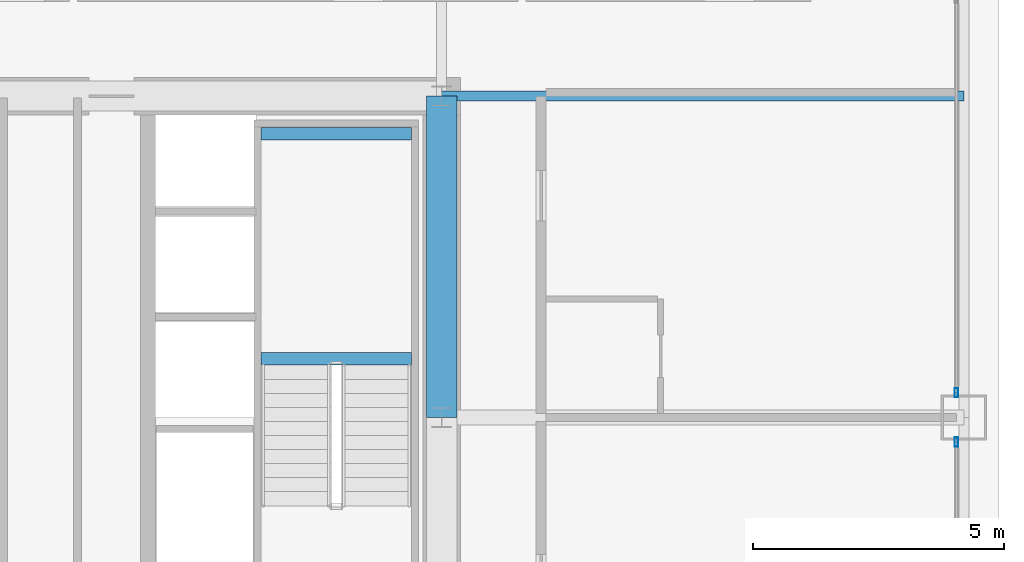
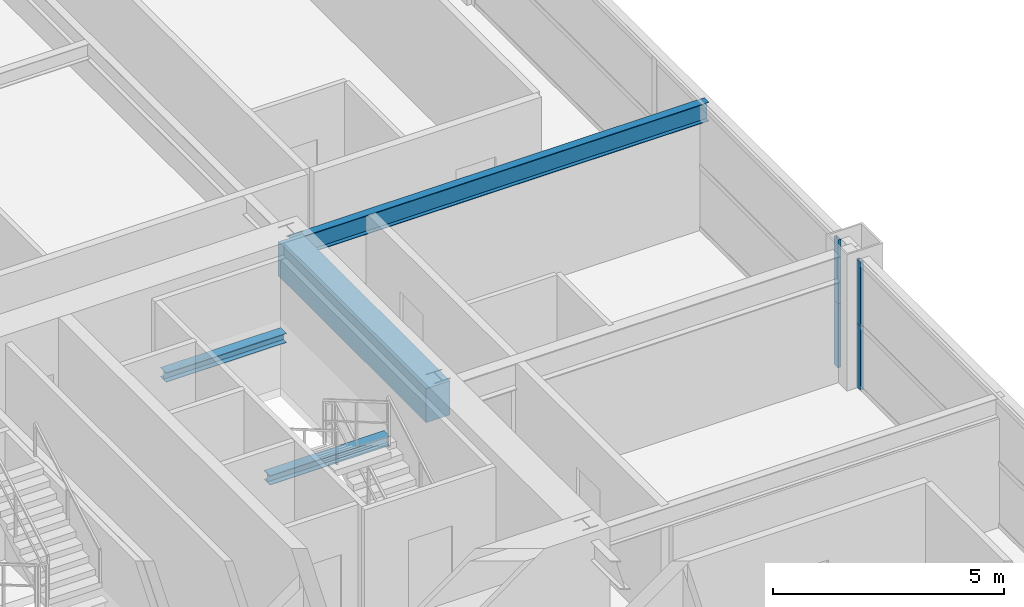
# One storey, part 20 of 39: 4 beams, 4 members, 2 elements without a shape of their own.
"""IFC4 building model written with IfcOpenShell, lengths in metres."""

from ifc_helpers import new_model, si_unit, direction, frame, origin, origin_2d, place, context, subcontext, project, spatial, rectangle, hollow_rectangle, i_section, extrude, source, transform, mapped, material, layer, layer_set, material_profile, profile_set, type_object, element, aggregate, save


model = new_model("IFC4")

# Units and contexts
model_context = context("Model", 3, precision=1e-05, world=origin(), true_north=direction((0.0, 1.0)))
body_context = subcontext(model_context, "Body", "Model", "MODEL_VIEW")
ifc_project = project(units=[si_unit("LENGTHUNIT", "METRE"), si_unit("AREAUNIT", "SQUARE_METRE"), si_unit("VOLUMEUNIT", "CUBIC_METRE"), si_unit("PLANEANGLEUNIT", "RADIAN"), si_unit("MASSUNIT", "GRAM", prefix="KILO"), si_unit("THERMODYNAMICTEMPERATUREUNIT", "KELVIN"), si_unit("POWERUNIT", "WATT")], contexts=[model_context])

# Site, building, storey
site_placement = place(None, origin())
site = spatial("IfcSite", under=ifc_project, at=site_placement, CompositionType="ELEMENT")
building_placement = place(site_placement, origin())
building = spatial("IfcBuilding", under=site, at=building_placement, Name="Yuzanri Waterfront Tower", CompositionType="ELEMENT")
storey_placement = place(building_placement, frame((0.0, 0.0, 148.800048828125)))
storey = spatial("IfcBuildingStorey", under=building, at=storey_placement, Name="L39", CompositionType="ELEMENT", Elevation=148.800048828125)

# Beams
ifc_material_1 = material(Name="Concrete C60", Category="concrete")
ifc_material_profile_1 = material_profile(ifc_material_1, rectangle(XDim=0.60009765625, YDim=0.89990234375, at=origin_2d()), Name="RC 600x900")
ifc_profile_set_1 = profile_set([ifc_material_profile_1], Name="Concrete C60")
beam_type_1 = type_object("IfcBeamType", Name="Core Coupling Lintel Concrete C60 600x900", PredefinedType="LINTEL", material=ifc_profile_set_1)
shared_shape_1 = source(origin(), body_context, "Body", "SweptSolid", [
    extrude(rectangle(XDim=0.60009765625, YDim=0.89990234375, at=origin_2d()), origin(), (0.0, 0.0, 1.0), 6.39990234375),
])
beam_1_placement = place(storey_placement, frame((50.199951171875, 25.800048828125, 2.929931640625), z_axis=(0.0, 1.0, 0.0), x_axis=(-1.0, 0.0, 0.0)))
element("IfcBeam", 1, at=beam_1_placement, inside=storey, type_object=beam_type_1, Name="L39 Core Tie Beam CE2", PredefinedType="LINTEL", context=body_context, shape_type="MappedRepresentation", body=[
    mapped(shared_shape_1, transform((0.0, 0.0, 0.0), scale=1.0)),
])
ifc_material_2 = material(Name="Steel Q355B", Category="steel")
ifc_material_profile_2 = material_profile(ifc_material_2, i_section(OverallWidth=0.199951171875, OverallDepth=0.5, WebThickness=0.010009765625, FlangeThickness=0.01611328125, at=origin_2d()), Name="HN 500x200x10x16")
ifc_profile_set_2 = profile_set([ifc_material_profile_2], Name="Steel Q355B")
beam_type_2 = type_object("IfcBeamType", Name="Secondary Floor Beam Q355B HN 500x200", PredefinedType="BEAM", material=ifc_profile_set_2)
shared_shape_2 = source(origin(), body_context, "Body", "SweptSolid", [
    extrude(i_section(OverallWidth=0.199951171875, OverallDepth=0.5, WebThickness=0.010009765625, FlangeThickness=0.01611328125, at=origin_2d()), origin(), (0.0, 0.0, 1.0), 10.400146484375),
])
beam_2_placement = place(storey_placement, frame((50.199951171875, 32.199951171875, 3.1298828125), z_axis=(1.0, 0.0, 0.0), x_axis=(0.0, 1.0, 0.0)))
element("IfcBeam", 2, at=beam_2_placement, inside=storey, type_object=beam_type_2, Name="L39 East-North Core Line Beam", PredefinedType="BEAM", context=body_context, shape_type="MappedRepresentation", body=[
    mapped(shared_shape_2, transform((0.0, 0.0, 0.0), scale=1.0)),
])

# Curtain wall, members
ifc_material_3 = material(Name="Anodized Architectural Bronze", Category="metal")
ifc_layer = layer(ifc_material_3, 0.159912109375)
ifc_layer_set = layer_set([ifc_layer], Name="Anodized Architectural Bronze")
curtain_wall_type = type_object("IfcCurtainWallType", Name="Anodized Bronze Hotel Upper-Tier Solar-Control Unitized Curtain Wall 7800", PredefinedType="NOTDEFINED", material=ifc_layer_set)
curtain_wall_1_placement = place(storey_placement, origin())
curtain_wall_1 = element("IfcCurtainWall", 3, at=curtain_wall_1_placement, inside=storey, type_object=curtain_wall_type, Name="L39 Curtain Wall CW-L39-EL", PredefinedType="NOTDEFINED")
ifc_material_4 = material(Name="Anodized Architectural Bronze", Category="metal")
ifc_material_profile_3 = material_profile(ifc_material_4, hollow_rectangle(XDim=0.070068359375, YDim=0.179931640625, WallThickness=0.00390625, at=origin_2d()), Name="CWM 70x180")
ifc_profile_set_3 = profile_set([ifc_material_profile_3], Name="Anodized Architectural Bronze")
member_type = type_object("IfcMemberType", Name="Anodized Bronze Standard Curtain-Wall Mullion 70x180", PredefinedType="MULLION", material=ifc_profile_set_3)
shared_shape_3 = source(origin(), body_context, "Body", "SweptSolid", [
    extrude(hollow_rectangle(XDim=0.070068359375, YDim=0.179931640625, WallThickness=0.00390625, at=origin_2d()), origin(), (0.0, 0.0, 1.0), 1.68798828125),
])
member_1_placement = place(storey_placement, frame((60.449951171875, 25.31005859375, 0.0), z_axis=(0.0, 0.0, 1.0), x_axis=(1.0, 0.0, 0.0)))
member_1 = element("IfcMember", 4, at=member_1_placement, type_object=member_type, Name="CW-L39-EL Lower Mullion 02", PredefinedType="MULLION", context=body_context, shape_type="MappedRepresentation", body=[
    mapped(shared_shape_3, transform((0.0, 0.0, 0.0), scale=1.0)),
])
member_2_placement = place(storey_placement, frame((60.449951171875, 25.31005859375, 1.69189453125), z_axis=(0.0, 0.0, 1.0), x_axis=(1.0, 0.0, 0.0)))
member_2 = element("IfcMember", 5, at=member_2_placement, type_object=member_type, Name="CW-L39-EL Upper Mullion 02", PredefinedType="MULLION", context=body_context, shape_type="MappedRepresentation", body=[
    mapped(shared_shape_3, transform((0.0, 0.0, 0.0), scale=1.0)),
])
aggregate(curtain_wall_1, [member_1, member_2])

curtain_wall_2_placement = place(storey_placement, origin())
curtain_wall_2 = element("IfcCurtainWall", 6, at=curtain_wall_2_placement, inside=storey, type_object=curtain_wall_type, Name="L39 Curtain Wall CW-L39-ER", PredefinedType="NOTDEFINED")
member_3_placement = place(storey_placement, frame((60.449951171875, 26.2900390625, 0.0), z_axis=(0.0, 0.0, 1.0), x_axis=(1.0, 0.0, 0.0)))
member_3 = element("IfcMember", 7, at=member_3_placement, type_object=member_type, Name="CW-L39-ER Lower Mullion 00", PredefinedType="MULLION", context=body_context, shape_type="MappedRepresentation", body=[
    mapped(shared_shape_3, transform((0.0, 0.0, 0.0), scale=1.0)),
])
member_4_placement = place(storey_placement, frame((60.449951171875, 26.2900390625, 1.69189453125), z_axis=(0.0, 0.0, 1.0), x_axis=(1.0, 0.0, 0.0)))
member_4 = element("IfcMember", 8, at=member_4_placement, type_object=member_type, Name="CW-L39-ER Upper Mullion 00", PredefinedType="MULLION", context=body_context, shape_type="MappedRepresentation", body=[
    mapped(shared_shape_3, transform((0.0, 0.0, 0.0), scale=1.0)),
])
aggregate(curtain_wall_2, [member_3, member_4])

# Beams
ifc_material_5 = material(Name="Steel Q355B", Category="steel")
ifc_material_profile_4 = material_profile(ifc_material_5, i_section(OverallWidth=0.25, OverallDepth=0.25, WebThickness=0.009033203125, FlangeThickness=0.013916015625, at=origin_2d()), Name="HW 250x250x9x14")
ifc_profile_set_4 = profile_set([ifc_material_profile_4], Name="Steel Q355B")
beam_type_3 = type_object("IfcBeamType", Name="Stair Landing Support Beam Q355B HW 250x250", PredefinedType="BEAM", material=ifc_profile_set_4)
shared_shape_4 = source(origin(), body_context, "Body", "SweptSolid", [
    extrude(i_section(OverallWidth=0.25, OverallDepth=0.25, WebThickness=0.009033203125, FlangeThickness=0.013916015625, at=origin_2d()), origin(), (0.0, 0.0, 1.0), 3.0),
])
for number, where, z_axis, x_axis, name in (
    (9, (46.60009765625, 26.969970703125, 1.474853515625), (1.0, 0.0, 0.0), (0.0, 1.0, 0.0), "L39 Stair Landing Support Beam ST-02-L39-L1-1"),
    (10, (46.60009765625, 31.449951171875, 1.474853515625), (1.0, 0.0, 0.0), (0.0, 1.0, 0.0), "L39 Stair Landing Support Beam ST-02-L39-L1-2"),
):
    element("IfcBeam", number, at=place(storey_placement, frame(where, z_axis=z_axis, x_axis=x_axis)), inside=storey, type_object=beam_type_3, Name=name, PredefinedType="BEAM", context=body_context, shape_type="MappedRepresentation", body=[
        mapped(shared_shape_4, transform((0.0, 0.0, 0.0), scale=1.0)),
    ])

save(model, "model.ifc")
